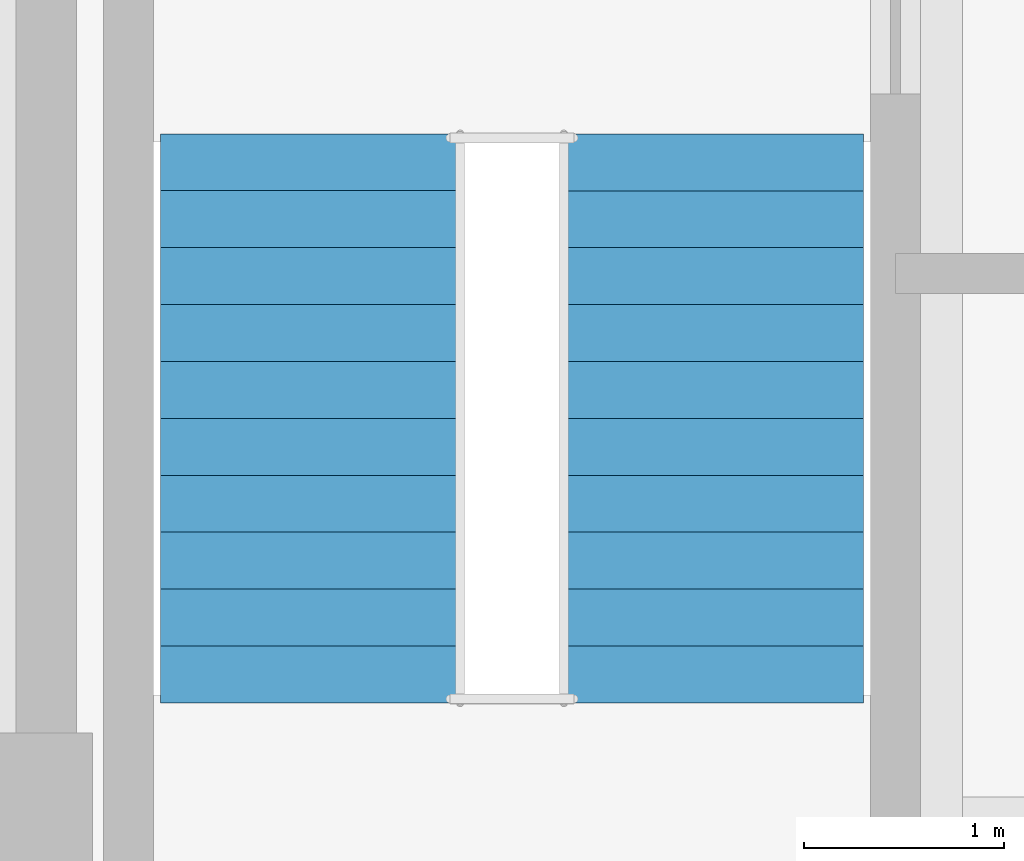
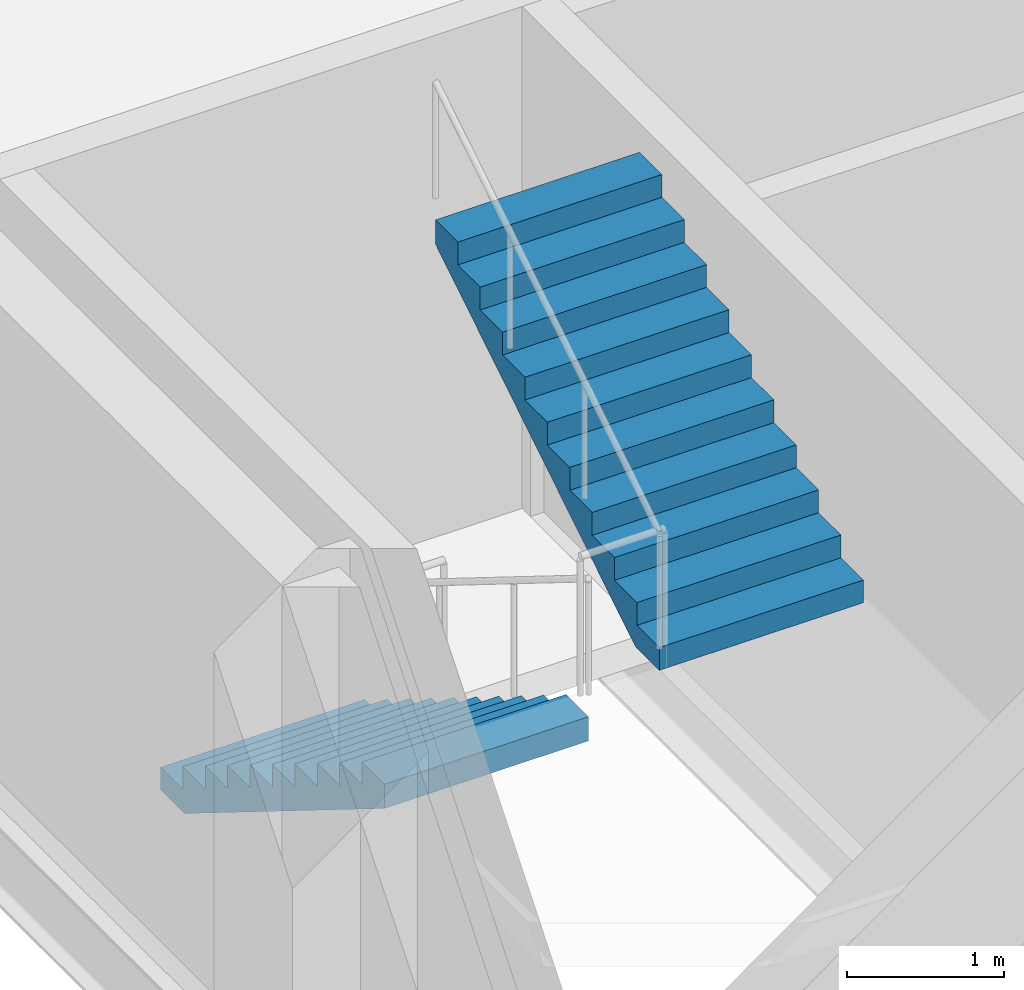
# One storey, part 7 of 8: 2 stair flights, 1 element without a shape of its own.
"""IFC4 building model written with IfcOpenShell, lengths in metres."""

from ifc_helpers import new_model, si_unit, direction, frame, origin, place, context, subcontext, project, spatial, polyline, outline, extrude, material, type_object, element, aggregate, save


model = new_model("IFC4")

# Units and contexts
model_context = context("Model", 3, precision=1e-05, world=origin(), true_north=direction((0.0, 1.0)))
body_context = subcontext(model_context, "Body", "Model", "MODEL_VIEW")
ifc_project = project(units=[si_unit("LENGTHUNIT", "METRE"), si_unit("AREAUNIT", "SQUARE_METRE"), si_unit("VOLUMEUNIT", "CUBIC_METRE"), si_unit("PLANEANGLEUNIT", "RADIAN"), si_unit("MASSUNIT", "GRAM", prefix="KILO")], contexts=[model_context])

# Site, building, storey
site_placement = place(None, origin())
site = spatial("IfcSite", under=ifc_project, at=site_placement, CompositionType="ELEMENT")
building_placement = place(site_placement, origin())
building = spatial("IfcBuilding", under=site, at=building_placement, Name="Mawjdan Bourse Tower", CompositionType="ELEMENT")
storey_placement = place(building_placement, frame((0.0, 0.0, 132.300048828125)))
storey = spatial("IfcBuildingStorey", under=building, at=storey_placement, Name="L31", CompositionType="ELEMENT", Elevation=132.300048828125)

# Stair, stair flights
ifc_material = material(Name="Concrete C50/60", Category="concrete")
stair_type = type_object("IfcStairType", Name="STR-CORE-1500", PredefinedType="HALF_TURN_STAIR", material=ifc_material)
stair_placement = place(storey_placement, origin())
stair = element("IfcStair", 1, at=stair_placement, inside=storey, type_object=stair_type, Name="L31 Exit Stair 3 (North Wing)", PredefinedType="HALF_TURN_STAIR")
stair_flight_type = type_object("IfcStairFlightType", Name="SFL-RC-1500", PredefinedType="STRAIGHT", material=ifc_material)
stair_flight_1_placement = place(storey_placement, frame((7.590087890625, 27.5, 0.0), z_axis=(0.0, 0.0, 1.0), x_axis=(0.0, -1.0, 0.0)))
stair_flight_1 = element("IfcStairFlight", 2, at=stair_flight_1_placement, type_object=stair_flight_type, Name="ST3-L31 flight 1", NumberOfRisers=11, NumberOfTreads=10, PredefinedType="STRAIGHT", RiserHeight=0.177273, TreadLength=0.285, context=body_context, shape_type="SweptSolid", body=[
    extrude(outline(polyline([(0.0, 0.0), (0.0, 0.17724609375), (0.284912109375, 0.17724609375), (0.284912109375, 0.3544921875), (0.570068359375, 0.3544921875), (0.570068359375, 0.53173828125), (0.85498046875, 0.53173828125), (0.85498046875, 0.708984375), (1.139892578125, 0.708984375), (1.139892578125, 0.886474609375), (1.425048828125, 0.886474609375), (1.425048828125, 1.063720703125), (1.7099609375, 1.063720703125), (1.7099609375, 1.240966796875), (1.9951171875, 1.240966796875), (1.9951171875, 1.418212890625), (2.280029296875, 1.418212890625), (2.280029296875, 1.595458984375), (2.56494140625, 1.595458984375), (2.56494140625, 1.772705078125), (2.85009765625, 1.772705078125), (2.85009765625, 1.949951171875), (2.85009765625, 1.58447265625), (0.302734375, 0.0), (0.0, 0.0)])), frame((0.0, 0.75, 0.0), z_axis=(0.0, -1.0, 0.0), x_axis=(1.0, 0.0, 0.0)), (0.0, 0.0, 1.0), 1.5),
])
stair_flight_2_placement = place(storey_placement, frame((9.610107421875, 24.64990234375, 1.949951171875), z_axis=(0.0, 0.0, 1.0), x_axis=(0.0, 1.0, 0.0)))
stair_flight_2 = element("IfcStairFlight", 3, at=stair_flight_2_placement, type_object=stair_flight_type, Name="ST3-L31 flight 2", NumberOfRisers=11, NumberOfTreads=10, PredefinedType="STRAIGHT", RiserHeight=0.177273, TreadLength=0.285, context=body_context, shape_type="SweptSolid", body=[
    extrude(outline(polyline([(0.0, 0.0), (0.0, 0.17724609375), (0.284912109375, 0.17724609375), (0.284912109375, 0.3544921875), (0.570068359375, 0.3544921875), (0.570068359375, 0.53173828125), (0.85498046875, 0.53173828125), (0.85498046875, 0.708984375), (1.139892578125, 0.708984375), (1.139892578125, 0.886474609375), (1.425048828125, 0.886474609375), (1.425048828125, 1.063720703125), (1.7099609375, 1.063720703125), (1.7099609375, 1.240966796875), (1.9951171875, 1.240966796875), (1.9951171875, 1.418212890625), (2.280029296875, 1.418212890625), (2.280029296875, 1.595458984375), (2.56494140625, 1.595458984375), (2.56494140625, 1.772705078125), (2.85009765625, 1.772705078125), (2.85009765625, 1.949951171875), (2.85009765625, 1.58447265625), (0.302734375, 0.0), (0.0, 0.0)])), frame((0.0, 0.75, 0.0), z_axis=(0.0, -1.0, 0.0), x_axis=(1.0, 0.0, 0.0)), (0.0, 0.0, 1.0), 1.5),
])
aggregate(stair, [stair_flight_1, stair_flight_2])

save(model, "model.ifc")
